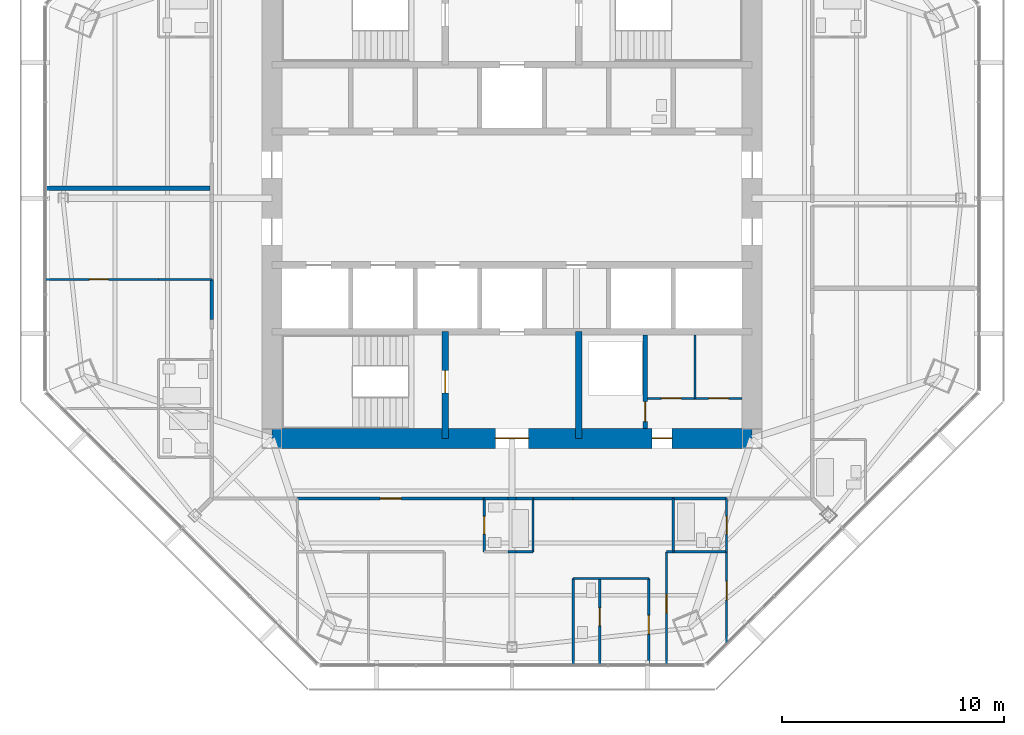
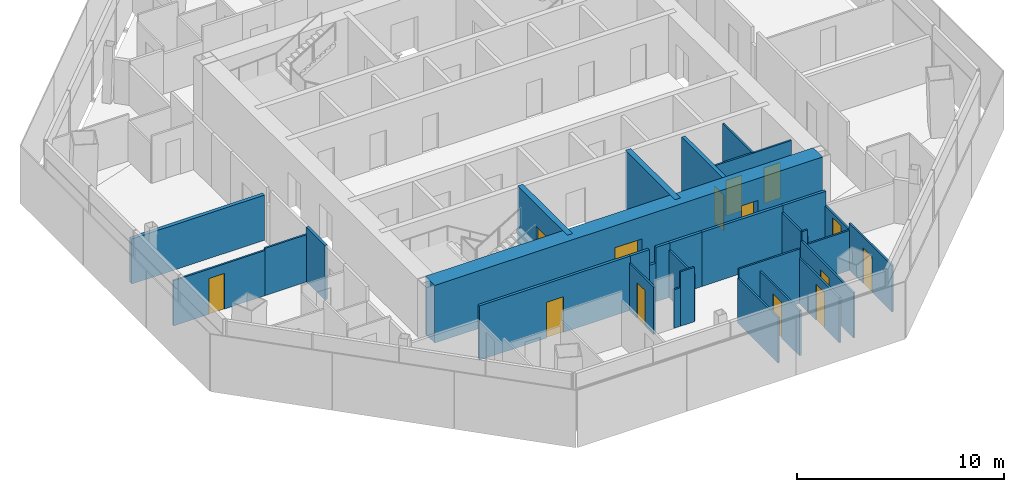
# One storey, part 9 of 15: 31 walls, 14 doors, 14 openings.
"""IFC4 building model written with IfcOpenShell, lengths in metres."""

from ifc_helpers import new_model, si_unit, direction, frame, frame_2d, origin, place, context, subcontext, project, spatial, rectangle, extrude, material, layer, layer_set, type_object, element, fill, save


model = new_model("IFC4")

# Units and contexts
model_context = context("Model", 3, precision=1e-05, world=origin(), true_north=direction((0.0, 1.0)))
body_context = subcontext(model_context, "Body", "Model", "MODEL_VIEW")
ifc_project = project(units=[si_unit("LENGTHUNIT", "METRE"), si_unit("AREAUNIT", "SQUARE_METRE"), si_unit("VOLUMEUNIT", "CUBIC_METRE"), si_unit("PLANEANGLEUNIT", "RADIAN"), si_unit("MASSUNIT", "GRAM", prefix="KILO")], contexts=[model_context])

# Site, building, storey
site_placement = place(None, origin())
site = spatial("IfcSite", under=ifc_project, at=site_placement, CompositionType="ELEMENT")
building_placement = place(site_placement, origin())
building = spatial("IfcBuilding", under=site, at=building_placement, Name="Mashrafa Tower", CompositionType="ELEMENT")
storey_placement = place(building_placement, frame((0.0, 0.0, 248.199951171875)))
storey = spatial("IfcBuildingStorey", under=building, at=storey_placement, Name="L59", CompositionType="ELEMENT", Elevation=248.199951171875)

# Wall
ifc_material_1 = material(Name="Gypsum board on steel studs", Category="steel")
ifc_layer_1 = layer(ifc_material_1, 0.199951171875)
ifc_layer_set_1 = layer_set([ifc_layer_1], Name="Acoustic partition 200 1 hr")
wall_type_1 = type_object("IfcWallType", Name="Acoustic partition 200 1 hr", PredefinedType="PARTITIONING", material=ifc_layer_set_1)
wall_1_placement = place(storey_placement, frame((-20.9755859375, 0.449951171875, 0.0), z_axis=(0.0, 0.0, 1.0), x_axis=(1.0, 0.0, 0.0)))
element("IfcWall", 1, at=wall_1_placement, inside=storey, type_object=wall_type_1, Name="Acoustic wall L59-081", PredefinedType="PARTITIONING", context=body_context, shape_type="SweptSolid", body=[
    extrude(rectangle(XDim=7.400634765625, YDim=0.199951171875, at=frame_2d((3.7001953125, 0.0))), origin(), (0.0, 0.0, 1.0), 2.661865234375),
])

# Wall, opening, door
ifc_material_2 = material(Name="Concrete masonry unit", Category="masonry")
ifc_layer_2 = layer(ifc_material_2, 0.199951171875)
ifc_layer_set_2 = layer_set([ifc_layer_2], Name="Blockwork wall 200 2 hr")
wall_type_2 = type_object("IfcWallType", Name="Blockwork wall 200 2 hr", PredefinedType="PARTITIONING", material=ifc_layer_set_2)
wall_2_placement = place(storey_placement, frame((6.0, -10.35009765625, 0.0), z_axis=(0.0, 0.0, 1.0), x_axis=(0.0, 1.0, 0.0)))
wall_2 = element("IfcWall", 2, at=wall_2_placement, inside=storey, type_object=wall_type_2, Name="Riser enclosure wall L59", PredefinedType="PARTITIONING", context=body_context, shape_type="SweptSolid", body=[
    extrude(rectangle(XDim=4.2001953125, YDim=0.199951171875, at=frame_2d((2.10009765625, 0.0))), origin(), (0.0, 0.0, 1.0), 3.199951171875),
])
opening_1_placement = place(wall_2_placement, frame((0.300048828125, 0.0, 0.0)))
opening_1 = element("IfcOpeningElement", 3, at=opening_1_placement, cuts=wall_2, Name="Opening 59.046", PredefinedType="OPENING", context=body_context, shape_type="SweptSolid", body=[
    extrude(rectangle(XDim=0.89990234375, YDim=2.10009765625, at=frame_2d((0.449951171875, 1.050048828125))), frame((0.0, 0.10986328125, 0.0), z_axis=(0.0, -1.0, 0.0), x_axis=(1.0, 0.0, 0.0)), (0.0, 0.0, 1.0), 0.219970703125),
])
ifc_material_3 = material(Name="Steel door", Category="steel")
door_type_1 = type_object("IfcDoorType", Name="Service door 900 x 2100 90 min", OperationType="USERDEFINED", PredefinedType="DOOR", material=ifc_material_3)
door_1_placement = place(opening_1_placement, origin())
door_1 = element("IfcDoor", 4, at=door_1_placement, inside=storey, type_object=door_type_1, Name="Riser door L59", OperationType="SINGLE_SWING_LEFT", OverallHeight=2.10009765625, OverallWidth=0.89990234375, PredefinedType="DOOR", context=body_context, shape_type="SweptSolid", body=[
    extrude(rectangle(XDim=0.89990234375, YDim=2.10009765625, at=frame_2d((0.449951171875, 1.050048828125))), frame((0.0, 0.02490234375, 0.0), z_axis=(0.0, -1.0, 0.0), x_axis=(1.0, 0.0, 0.0)), (0.0, 0.0, 1.0), 0.050048828125),
])
fill(opening_1, door_1)

ifc_material_4 = material(Name="Concrete C50/60", Category="concrete")
ifc_layer_3 = layer(ifc_material_4, 0.300048828125)
ifc_layer_set_3 = layer_set([ifc_layer_3], Name="Core wall 300 C50/60")
wall_type_3 = type_object("IfcWallType", Name="Core wall 300 C50/60", PredefinedType="SOLIDWALL", material=ifc_layer_set_3)
wall_3_placement = place(storey_placement, frame((-3.0, -6.0, 0.0), z_axis=(0.0, 0.0, 1.0), x_axis=(0.0, -1.0, 0.0)))
wall_3 = element("IfcWall", 5, at=wall_3_placement, inside=storey, type_object=wall_type_3, Name="Core wall CX-SW L59", PredefinedType="SOLIDWALL", context=body_context, shape_type="SweptSolid", body=[
    extrude(rectangle(XDim=4.800048828125, YDim=0.300048828125, at=frame_2d((2.39990234375, 0.0))), origin(), (0.0, 0.0, 1.0), 3.400146484375),
])
opening_2_placement = place(wall_3_placement, frame((1.75, 0.0, 0.0)))
opening_2 = element("IfcOpeningElement", 6, at=opening_2_placement, cuts=wall_3, Name="Opening 59.044", PredefinedType="OPENING", context=body_context, shape_type="SweptSolid", body=[
    extrude(rectangle(XDim=1.0, YDim=2.10009765625, at=frame_2d((0.5, 1.050048828125))), frame((0.0, 0.159912109375, 0.0), z_axis=(0.0, -1.0, 0.0), x_axis=(1.0, 0.0, 0.0)), (0.0, 0.0, 1.0), 0.320068359375),
])
ifc_material_5 = material(Name="Steel door", Category="steel")
door_type_2 = type_object("IfcDoorType", Name="Stair door 1000 x 2100 90 min", OperationType="USERDEFINED", PredefinedType="DOOR", material=ifc_material_5)
door_2_placement = place(opening_2_placement, frame((1.0, 0.0, 0.0), z_axis=(0.0, 0.0, 1.0), x_axis=(-1.0, 0.0, 0.0)))
door_2 = element("IfcDoor", 7, at=door_2_placement, inside=storey, type_object=door_type_2, Name="Stair S3 door L59", OperationType="SINGLE_SWING_RIGHT", OverallHeight=2.10009765625, OverallWidth=1.0, PredefinedType="DOOR", context=body_context, shape_type="SweptSolid", body=[
    extrude(rectangle(XDim=1.0, YDim=2.10009765625, at=frame_2d((0.5, 1.050048828125))), frame((0.0, 0.02490234375, 0.0), z_axis=(0.0, -1.0, 0.0), x_axis=(1.0, 0.0, 0.0)), (0.0, 0.0, 1.0), 0.050048828125),
])
fill(opening_2, door_2)

# Wall
wall_4_placement = place(storey_placement, frame((3.0, -6.0, 0.0), z_axis=(0.0, 0.0, 1.0), x_axis=(0.0, -1.0, 0.0)))
element("IfcWall", 8, at=wall_4_placement, inside=storey, type_object=wall_type_3, Name="Core wall CX-SE L59", PredefinedType="SOLIDWALL", context=body_context, shape_type="SweptSolid", body=[
    extrude(rectangle(XDim=4.800048828125, YDim=0.300048828125, at=frame_2d((2.39990234375, 0.0))), origin(), (0.0, 0.0, 1.0), 3.400146484375),
])

# Wall, openings, doors
ifc_material_6 = material(Name="Concrete C50/60", Category="concrete")
ifc_layer_4 = layer(ifc_material_6, 0.89990234375)
ifc_layer_set_4 = layer_set([ifc_layer_4], Name="Core wall 900 C50/60")
wall_type_4 = type_object("IfcWallType", Name="Core wall 900 C50/60", PredefinedType="SOLIDWALL", material=ifc_layer_set_4)
wall_5_placement = place(storey_placement, frame((-10.800048828125, -10.800048828125, 0.0), z_axis=(0.0, 0.0, 1.0), x_axis=(1.0, 0.0, 0.0)))
wall_5 = element("IfcWall", 9, at=wall_5_placement, inside=storey, type_object=wall_type_4, Name="Core wall CW-S L59", PredefinedType="SOLIDWALL", context=body_context, shape_type="SweptSolid", body=[
    extrude(rectangle(XDim=21.60009765625, YDim=0.89990234375, at=frame_2d((10.800048828125, 0.0))), origin(), (0.0, 0.0, 1.0), 3.400146484375),
])
opening_3_placement = place(wall_5_placement, frame((10.050048828125, 0.0, 0.0)))
opening_3 = element("IfcOpeningElement", 10, at=opening_3_placement, cuts=wall_5, Name="Opening 59.041", PredefinedType="OPENING", context=body_context, shape_type="SweptSolid", body=[
    extrude(rectangle(XDim=1.5, YDim=2.10009765625, at=frame_2d((0.75, 1.050048828125))), frame((0.0, 0.4599609375, 0.0), z_axis=(0.0, -1.0, 0.0), x_axis=(1.0, 0.0, 0.0)), (0.0, 0.0, 1.0), 0.919921875),
])
opening_4_placement = place(wall_5_placement, frame((17.10009765625, 0.0, 0.0)))
opening_4 = element("IfcOpeningElement", 11, at=opening_4_placement, cuts=wall_5, Name="Opening 59.045", PredefinedType="OPENING", context=body_context, shape_type="SweptSolid", body=[
    extrude(rectangle(XDim=0.89990234375, YDim=2.10009765625, at=frame_2d((0.449951171875, 1.050048828125))), frame((0.0, 0.4599609375, 0.0), z_axis=(0.0, -1.0, 0.0), x_axis=(1.0, 0.0, 0.0)), (0.0, 0.0, 1.0), 0.919921875),
])
ifc_material_7 = material(Name="Steel door", Category="steel")
door_type_3 = type_object("IfcDoorType", Name="Lobby door pair 1500 x 2100 90 min", OperationType="DOUBLE_DOOR_SINGLE_SWING", PredefinedType="DOOR", material=ifc_material_7)
door_3_placement = place(opening_3_placement, origin())
door_3 = element("IfcDoor", 12, at=door_3_placement, inside=storey, type_object=door_type_3, Name="Fire-fighting lobby F2 door L59", OperationType="DOUBLE_DOOR_SINGLE_SWING", OverallHeight=2.10009765625, OverallWidth=1.5, PredefinedType="DOOR", context=body_context, shape_type="SweptSolid", body=[
    extrude(rectangle(XDim=1.5, YDim=2.10009765625, at=frame_2d((0.75, 1.050048828125))), frame((0.0, 0.02490234375, 0.0), z_axis=(0.0, -1.0, 0.0), x_axis=(1.0, 0.0, 0.0)), (0.0, 0.0, 1.0), 0.050048828125),
])
fill(opening_3, door_3)
door_4_placement = place(opening_4_placement, frame((0.89990234375, 0.0, 0.0), z_axis=(0.0, 0.0, 1.0), x_axis=(-1.0, 0.0, 0.0)))
door_4 = element("IfcDoor", 13, at=door_4_placement, inside=storey, type_object=door_type_1, Name="Services Lobby L59 door", OperationType="SINGLE_SWING_LEFT", OverallHeight=2.10009765625, OverallWidth=0.89990234375, PredefinedType="DOOR", context=body_context, shape_type="SweptSolid", body=[
    extrude(rectangle(XDim=0.89990234375, YDim=2.10009765625, at=frame_2d((0.449951171875, 1.050048828125))), frame((0.0, 0.02490234375, 0.0), z_axis=(0.0, -1.0, 0.0), x_axis=(1.0, 0.0, 0.0)), (0.0, 0.0, 1.0), 0.050048828125),
])
fill(opening_4, door_4)

# Walls
ifc_material_8 = material(Name="Gypsum board on steel studs", Category="steel")
ifc_layer_5 = layer(ifc_material_8, 0.14990234375)
ifc_layer_set_5 = layer_set([ifc_layer_5], Name="Corridor partition 150 1 hr")
wall_type_5 = type_object("IfcWallType", Name="Corridor partition 150 1 hr", PredefinedType="PARTITIONING", material=ifc_layer_set_5)
wall_6_placement = place(storey_placement, frame((-13.5, -3.64892578125, 0.0), z_axis=(0.0, 0.0, 1.0), x_axis=(0.0, -1.0, 0.0)))
element("IfcWall", 14, at=wall_6_placement, inside=storey, type_object=wall_type_5, Name="Corridor wall L59-033", PredefinedType="PARTITIONING", context=body_context, shape_type="SweptSolid", body=[
    extrude(rectangle(XDim=1.802001953125, YDim=0.14990234375, at=frame_2d((0.90087890625, 0.0))), origin(), (0.0, 0.0, 1.0), 3.199951171875),
])
wall_7_placement = place(storey_placement, frame((-1.2509765625, -13.5, 0.0), z_axis=(0.0, 0.0, 1.0), x_axis=(1.0, 0.0, 0.0)))
element("IfcWall", 15, at=wall_7_placement, inside=storey, type_object=wall_type_5, Name="Corridor wall L59-039", PredefinedType="PARTITIONING", context=body_context, shape_type="SweptSolid", body=[
    extrude(rectangle(XDim=1.068603515625, YDim=0.14990234375, at=frame_2d((0.5341796875, 0.0))), origin(), (0.0, 0.0, 1.0), 3.199951171875),
])
wall_8_placement = place(storey_placement, frame((0.182373046875, -13.5, 0.0), z_axis=(0.0, 0.0, 1.0), x_axis=(1.0, 0.0, 0.0)))
element("IfcWall", 16, at=wall_8_placement, inside=storey, type_object=wall_type_5, Name="Corridor wall L59-040", PredefinedType="PARTITIONING", context=body_context, shape_type="SweptSolid", body=[
    extrude(rectangle(XDim=0.7685546875, YDim=0.14990234375, at=frame_2d((0.38427734375, 0.0))), origin(), (0.0, 0.0, 1.0), 3.199951171875),
])
wall_9_placement = place(storey_placement, frame((-0.182373046875, -13.5, 0.0), z_axis=(0.0, 0.0, 1.0), x_axis=(1.0, 0.0, 0.0)))
element("IfcWall", 17, at=wall_9_placement, inside=storey, type_object=wall_type_5, Name="Corridor wall L59-041", PredefinedType="PARTITIONING", context=body_context, shape_type="SweptSolid", body=[
    extrude(rectangle(XDim=0.36474609375, YDim=0.14990234375, at=frame_2d((0.182373046875, 0.0))), origin(), (0.0, 0.0, 1.0), 2.26806640625),
])
wall_10_placement = place(storey_placement, frame((0.948974609375, -13.5, 0.0), z_axis=(0.0, 0.0, 1.0), x_axis=(1.0, 0.0, 0.0)))
element("IfcWall", 18, at=wall_10_placement, inside=storey, type_object=wall_type_5, Name="Corridor wall L59-042", PredefinedType="PARTITIONING", context=body_context, shape_type="SweptSolid", body=[
    extrude(rectangle(XDim=1.802001953125, YDim=0.14990234375, at=frame_2d((0.90087890625, 0.0))), origin(), (0.0, 0.0, 1.0), 3.199951171875),
])
wall_11_placement = place(storey_placement, frame((7.2490234375, -13.5, 0.0), z_axis=(0.0, 0.0, 1.0), x_axis=(1.0, 0.0, 0.0)))
element("IfcWall", 19, at=wall_11_placement, inside=storey, type_object=wall_type_5, Name="Corridor wall L59-043", PredefinedType="PARTITIONING", context=body_context, shape_type="SweptSolid", body=[
    extrude(rectangle(XDim=2.40185546875, YDim=0.14990234375, at=frame_2d((1.200927734375, 0.0))), origin(), (0.0, 0.0, 1.0), 3.199951171875),
])

# Wall, opening, door
wall_12_placement = place(storey_placement, frame((-9.65087890625, -13.5, 0.0), z_axis=(0.0, 0.0, 1.0), x_axis=(1.0, 0.0, 0.0)))
wall_12 = element("IfcWall", 20, at=wall_12_placement, inside=storey, type_object=wall_type_5, Name="Corridor wall L59-045", PredefinedType="PARTITIONING", context=body_context, shape_type="SweptSolid", body=[
    extrude(rectangle(XDim=8.40185546875, YDim=0.14990234375, at=frame_2d((4.200927734375, 0.0))), origin(), (0.0, 0.0, 1.0), 3.199951171875),
])
opening_5_placement = place(wall_12_placement, frame((3.72607421875, 0.0, 0.0)))
opening_5 = element("IfcOpeningElement", 21, at=opening_5_placement, cuts=wall_12, Name="Opening 59.034", PredefinedType="OPENING", context=body_context, shape_type="SweptSolid", body=[
    extrude(rectangle(XDim=0.949951171875, YDim=2.10009765625, at=frame_2d((0.47509765625, 1.050048828125))), frame((0.0, 0.0849609375, 0.0), z_axis=(0.0, -1.0, 0.0), x_axis=(1.0, 0.0, 0.0)), (0.0, 0.0, 1.0), 0.169921875),
])
ifc_material_9 = material(Name="Steel door", Category="steel")
door_type_4 = type_object("IfcDoorType", Name="Residence entrance door 950 x 2100 20 min", OperationType="USERDEFINED", PredefinedType="DOOR", material=ifc_material_9)
door_5_placement = place(opening_5_placement, frame((0.949951171875, 0.0, 0.0), z_axis=(0.0, 0.0, 1.0), x_axis=(-1.0, 0.0, 0.0)))
door_5 = element("IfcDoor", 22, at=door_5_placement, inside=storey, type_object=door_type_4, Name="Apartment 5907 Living Room door", OperationType="SINGLE_SWING_RIGHT", OverallHeight=2.10009765625, OverallWidth=0.949951171875, PredefinedType="DOOR", context=body_context, shape_type="SweptSolid", body=[
    extrude(rectangle(XDim=0.949951171875, YDim=2.10009765625, at=frame_2d((0.47509765625, 1.050048828125))), frame((0.0, 0.02490234375, 0.0), z_axis=(0.0, -1.0, 0.0), x_axis=(1.0, 0.0, 0.0)), (0.0, 0.0, 1.0), 0.050048828125),
])
fill(opening_5, door_5)

# Walls
wall_13_placement = place(storey_placement, frame((2.7490234375, -13.5, 0.0), z_axis=(0.0, 0.0, 1.0), x_axis=(1.0, 0.0, 0.0)))
element("IfcWall", 23, at=wall_13_placement, inside=storey, type_object=wall_type_5, Name="Corridor wall L59-046", PredefinedType="PARTITIONING", context=body_context, shape_type="SweptSolid", body=[
    extrude(rectangle(XDim=4.501953125, YDim=0.14990234375, at=frame_2d((2.2509765625, 0.0))), origin(), (0.0, 0.0, 1.0), 3.199951171875),
])
ifc_material_10 = material(Name="Gypsum board on steel studs", Category="steel")
ifc_layer_6 = layer(ifc_material_10, 0.10009765625)
ifc_layer_set_6 = layer_set([ifc_layer_6], Name="Partition 100")
wall_type_6 = type_object("IfcWallType", Name="Partition 100", PredefinedType="PARTITIONING", material=ifc_layer_set_6)
wall_14_placement = place(storey_placement, frame((-13.5, -3.64990234375, 0.0), z_axis=(0.0, 0.0, 1.0), x_axis=(-1.0, 0.0, 0.0)))
element("IfcWall", 24, at=wall_14_placement, inside=storey, type_object=wall_type_6, Name="Partition wall L59-089", PredefinedType="PARTITIONING", context=body_context, shape_type="SweptSolid", body=[
    extrude(rectangle(XDim=2.39990234375, YDim=0.10009765625, at=frame_2d((1.199951171875, 0.0))), origin(), (0.0, 0.0, 1.0), 2.78369140625),
])

# Wall, opening, door
wall_15_placement = place(storey_placement, frame((-20.9775390625, -3.64990234375, 0.0), z_axis=(0.0, 0.0, 1.0), x_axis=(1.0, 0.0, 0.0)))
wall_15 = element("IfcWall", 25, at=wall_15_placement, inside=storey, type_object=wall_type_6, Name="Partition wall L59-090", PredefinedType="PARTITIONING", context=body_context, shape_type="SweptSolid", body=[
    extrude(rectangle(XDim=5.07861328125, YDim=0.10009765625, at=frame_2d((2.539306640625, 0.0))), origin(), (0.0, 0.0, 1.0), 2.661865234375),
])
opening_6_placement = place(wall_15_placement, frame((1.976318359375, 0.0, 0.0)))
opening_6 = element("IfcOpeningElement", 26, at=opening_6_placement, cuts=wall_15, Name="Opening 59.024", PredefinedType="OPENING", context=body_context, shape_type="SweptSolid", body=[
    extrude(rectangle(XDim=0.85009765625, YDim=2.10009765625, at=frame_2d((0.425048828125, 1.050048828125))), frame((0.0, 0.06005859375, 0.0), z_axis=(0.0, -1.0, 0.0), x_axis=(1.0, 0.0, 0.0)), (0.0, 0.0, 1.0), 0.1201171875),
])
ifc_material_11 = material(Name="Timber door", Category="wood")
door_type_5 = type_object("IfcDoorType", Name="Bedroom door 850 x 2100", OperationType="USERDEFINED", PredefinedType="DOOR", material=ifc_material_11)
door_6_placement = place(opening_6_placement, origin())
door_6 = element("IfcDoor", 27, at=door_6_placement, inside=storey, type_object=door_type_5, Name="Apartment 5906 Bedroom 2 door", OperationType="SINGLE_SWING_LEFT", OverallHeight=2.10009765625, OverallWidth=0.85009765625, PredefinedType="DOOR", context=body_context, shape_type="SweptSolid", body=[
    extrude(rectangle(XDim=0.85009765625, YDim=2.10009765625, at=frame_2d((0.425048828125, 1.050048828125))), frame((0.0, 0.02490234375, 0.0), z_axis=(0.0, -1.0, 0.0), x_axis=(1.0, 0.0, 0.0)), (0.0, 0.0, 1.0), 0.050048828125),
])
fill(opening_6, door_6)

# Wall
wall_16_placement = place(storey_placement, frame((0.949951171875, -15.89990234375, 0.0), z_axis=(0.0, 0.0, 1.0), x_axis=(0.0, 1.0, 0.0)))
element("IfcWall", 28, at=wall_16_placement, inside=storey, type_object=wall_type_6, Name="Partition wall L59-097", PredefinedType="PARTITIONING", context=body_context, shape_type="SweptSolid", body=[
    extrude(rectangle(XDim=2.39990234375, YDim=0.10009765625, at=frame_2d((1.199951171875, 0.0))), origin(), (0.0, 0.0, 1.0), 2.78369140625),
])

# Wall, opening, door
wall_17_placement = place(storey_placement, frame((-1.25, -13.5, 0.0), z_axis=(0.0, 0.0, 1.0), x_axis=(0.0, -1.0, 0.0)))
wall_17 = element("IfcWall", 29, at=wall_17_placement, inside=storey, type_object=wall_type_6, Name="Partition wall L59-098", PredefinedType="PARTITIONING", context=body_context, shape_type="SweptSolid", body=[
    extrude(rectangle(XDim=2.39990234375, YDim=0.10009765625, at=frame_2d((1.199951171875, 0.0))), origin(), (0.0, 0.0, 1.0), 2.78369140625),
])
opening_7_placement = place(wall_17_placement, frame((0.800048828125, 0.0, 0.0)))
opening_7 = element("IfcOpeningElement", 30, at=opening_7_placement, cuts=wall_17, Name="Opening 59.029", PredefinedType="OPENING", context=body_context, shape_type="SweptSolid", body=[
    extrude(rectangle(XDim=0.800048828125, YDim=2.10009765625, at=frame_2d((0.39990234375, 1.050048828125))), frame((0.0, 0.06005859375, 0.0), z_axis=(0.0, -1.0, 0.0), x_axis=(1.0, 0.0, 0.0)), (0.0, 0.0, 1.0), 0.1201171875),
])
ifc_material_12 = material(Name="Timber door", Category="wood")
door_type_6 = type_object("IfcDoorType", Name="Bathroom door 800 x 2100", OperationType="USERDEFINED", PredefinedType="DOOR", material=ifc_material_12)
door_7_placement = place(opening_7_placement, origin())
door_7 = element("IfcDoor", 31, at=door_7_placement, inside=storey, type_object=door_type_6, Name="Apartment 5907 Bathroom door", OperationType="SINGLE_SWING_RIGHT", OverallHeight=2.10009765625, OverallWidth=0.800048828125, PredefinedType="DOOR", context=body_context, shape_type="SweptSolid", body=[
    extrude(rectangle(XDim=0.800048828125, YDim=2.10009765625, at=frame_2d((0.39990234375, 1.050048828125))), frame((0.0, 0.02490234375, 0.0), z_axis=(0.0, -1.0, 0.0), x_axis=(1.0, 0.0, 0.0)), (0.0, 0.0, 1.0), 0.050048828125),
])
fill(opening_7, door_7)

# Walls
wall_18_placement = place(storey_placement, frame((0.182373046875, -15.89990234375, 0.0), z_axis=(0.0, 0.0, 1.0), x_axis=(1.0, 0.0, 0.0)))
element("IfcWall", 32, at=wall_18_placement, inside=storey, type_object=wall_type_6, Name="Partition wall L59-100", PredefinedType="PARTITIONING", context=body_context, shape_type="SweptSolid", body=[
    extrude(rectangle(XDim=0.767578125, YDim=0.10009765625, at=frame_2d((0.3837890625, 0.0))), origin(), (0.0, 0.0, 1.0), 3.199951171875),
])
wall_19_placement = place(storey_placement, frame((-0.182373046875, -15.89990234375, 0.0), z_axis=(0.0, 0.0, 1.0), x_axis=(1.0, 0.0, 0.0)))
element("IfcWall", 33, at=wall_19_placement, inside=storey, type_object=wall_type_6, Name="Partition wall L59-101", PredefinedType="PARTITIONING", context=body_context, shape_type="SweptSolid", body=[
    extrude(rectangle(XDim=0.36474609375, YDim=0.10009765625, at=frame_2d((0.182373046875, 0.0))), origin(), (0.0, 0.0, 1.0), 2.26806640625),
])

# Wall, opening, door
wall_20_placement = place(storey_placement, frame((3.949951171875, -17.10009765625, 0.0), z_axis=(0.0, 0.0, 1.0), x_axis=(0.0, -1.0, 0.0)))
wall_20 = element("IfcWall", 34, at=wall_20_placement, inside=storey, type_object=wall_type_6, Name="Partition wall L59-102", PredefinedType="PARTITIONING", context=body_context, shape_type="SweptSolid", body=[
    extrude(rectangle(XDim=3.87744140625, YDim=0.10009765625, at=frame_2d((1.938720703125, 0.0))), origin(), (0.0, 0.0, 1.0), 2.661865234375),
])
opening_8_placement = place(wall_20_placement, frame((1.32177734375, 0.0, 0.0)))
opening_8 = element("IfcOpeningElement", 35, at=opening_8_placement, cuts=wall_20, Name="Opening 59.031", PredefinedType="OPENING", context=body_context, shape_type="SweptSolid", body=[
    extrude(rectangle(XDim=0.800048828125, YDim=2.10009765625, at=frame_2d((0.39990234375, 1.050048828125))), frame((0.0, 0.06005859375, 0.0), z_axis=(0.0, -1.0, 0.0), x_axis=(1.0, 0.0, 0.0)), (0.0, 0.0, 1.0), 0.1201171875),
])
door_8_placement = place(opening_8_placement, frame((0.800048828125, 0.0, 0.0), z_axis=(0.0, 0.0, 1.0), x_axis=(-1.0, 0.0, 0.0)))
door_8 = element("IfcDoor", 36, at=door_8_placement, inside=storey, type_object=door_type_6, Name="Apartment 5907 Maid's WC door", OperationType="SINGLE_SWING_RIGHT", OverallHeight=2.10009765625, OverallWidth=0.800048828125, PredefinedType="DOOR", context=body_context, shape_type="SweptSolid", body=[
    extrude(rectangle(XDim=0.800048828125, YDim=2.10009765625, at=frame_2d((0.39990234375, 1.050048828125))), frame((0.0, 0.02490234375, 0.0), z_axis=(0.0, -1.0, 0.0), x_axis=(1.0, 0.0, 0.0)), (0.0, 0.0, 1.0), 0.050048828125),
])
fill(opening_8, door_8)

wall_21_placement = place(storey_placement, frame((6.14990234375, -20.9775390625, 0.0), z_axis=(0.0, 0.0, 1.0), x_axis=(0.0, 1.0, 0.0)))
wall_21 = element("IfcWall", 37, at=wall_21_placement, inside=storey, type_object=wall_type_6, Name="Partition wall L59-103", PredefinedType="PARTITIONING", context=body_context, shape_type="SweptSolid", body=[
    extrude(rectangle(XDim=3.87744140625, YDim=0.10009765625, at=frame_2d((1.938720703125, 0.0))), origin(), (0.0, 0.0, 1.0), 2.661865234375),
])
opening_9_placement = place(wall_21_placement, frame((1.375732421875, 0.0, 0.0)))
opening_9 = element("IfcOpeningElement", 38, at=opening_9_placement, cuts=wall_21, Name="Opening 59.030", PredefinedType="OPENING", context=body_context, shape_type="SweptSolid", body=[
    extrude(rectangle(XDim=0.85009765625, YDim=2.10009765625, at=frame_2d((0.425048828125, 1.050048828125))), frame((0.0, 0.06005859375, 0.0), z_axis=(0.0, -1.0, 0.0), x_axis=(1.0, 0.0, 0.0)), (0.0, 0.0, 1.0), 0.1201171875),
])
door_9_placement = place(opening_9_placement, origin())
door_9 = element("IfcDoor", 39, at=door_9_placement, inside=storey, type_object=door_type_5, Name="Apartment 5907 Maid's Room door", OperationType="SINGLE_SWING_LEFT", OverallHeight=2.10009765625, OverallWidth=0.85009765625, PredefinedType="DOOR", context=body_context, shape_type="SweptSolid", body=[
    extrude(rectangle(XDim=0.85009765625, YDim=2.10009765625, at=frame_2d((0.425048828125, 1.050048828125))), frame((0.0, 0.02490234375, 0.0), z_axis=(0.0, -1.0, 0.0), x_axis=(1.0, 0.0, 0.0)), (0.0, 0.0, 1.0), 0.050048828125),
])
fill(opening_9, door_9)

# Walls
wall_22_placement = place(storey_placement, frame((6.14990234375, -17.10009765625, 0.0), z_axis=(0.0, 0.0, 1.0), x_axis=(-1.0, 0.0, 0.0)))
element("IfcWall", 40, at=wall_22_placement, inside=storey, type_object=wall_type_6, Name="Partition wall L59-104", PredefinedType="PARTITIONING", context=body_context, shape_type="SweptSolid", body=[
    extrude(rectangle(XDim=3.39990234375, YDim=0.10009765625, at=frame_2d((1.699951171875, 0.0))), origin(), (0.0, 0.0, 1.0), 3.199951171875),
])
wall_23_placement = place(storey_placement, frame((2.75, -17.10009765625, 0.0), z_axis=(0.0, 0.0, 1.0), x_axis=(0.0, -1.0, 0.0)))
element("IfcWall", 41, at=wall_23_placement, inside=storey, type_object=wall_type_6, Name="Partition wall L59-106", PredefinedType="PARTITIONING", context=body_context, shape_type="SweptSolid", body=[
    extrude(rectangle(XDim=3.87548828125, YDim=0.10009765625, at=frame_2d((1.937744140625, 0.0))), origin(), (0.0, 0.0, 1.0), 2.661865234375),
])

# Wall, opening, door
wall_24_placement = place(storey_placement, frame((9.64990234375, -15.89990234375, 0.0), z_axis=(0.0, 0.0, 1.0), x_axis=(0.0, 1.0, 0.0)))
wall_24 = element("IfcWall", 42, at=wall_24_placement, inside=storey, type_object=wall_type_6, Name="Partition wall L59-107", PredefinedType="PARTITIONING", context=body_context, shape_type="SweptSolid", body=[
    extrude(rectangle(XDim=2.39990234375, YDim=0.10009765625, at=frame_2d((1.199951171875, 0.0))), origin(), (0.0, 0.0, 1.0), 2.349365234375),
])
opening_10_placement = place(wall_24_placement, frame((0.800048828125, 0.0, 0.0)))
opening_10 = element("IfcOpeningElement", 43, at=opening_10_placement, cuts=wall_24, Name="Opening 59.032", PredefinedType="OPENING", context=body_context, shape_type="SweptSolid", body=[
    extrude(rectangle(XDim=0.800048828125, YDim=2.10009765625, at=frame_2d((0.39990234375, 1.050048828125))), frame((0.0, 0.06005859375, 0.0), z_axis=(0.0, -1.0, 0.0), x_axis=(1.0, 0.0, 0.0)), (0.0, 0.0, 1.0), 0.1201171875),
])
door_10_placement = place(opening_10_placement, origin())
door_10 = element("IfcDoor", 44, at=door_10_placement, inside=storey, type_object=door_type_6, Name="Apartment 5907 En-suite Bathroom door", OperationType="SINGLE_SWING_RIGHT", OverallHeight=2.10009765625, OverallWidth=0.800048828125, PredefinedType="DOOR", context=body_context, shape_type="SweptSolid", body=[
    extrude(rectangle(XDim=0.800048828125, YDim=2.10009765625, at=frame_2d((0.39990234375, 1.050048828125))), frame((0.0, 0.02490234375, 0.0), z_axis=(0.0, -1.0, 0.0), x_axis=(1.0, 0.0, 0.0)), (0.0, 0.0, 1.0), 0.050048828125),
])
fill(opening_10, door_10)

# Walls
wall_25_placement = place(storey_placement, frame((7.25, -13.5, 0.0), z_axis=(0.0, 0.0, 1.0), x_axis=(0.0, -1.0, 0.0)))
element("IfcWall", 45, at=wall_25_placement, inside=storey, type_object=wall_type_6, Name="Partition wall L59-108", PredefinedType="PARTITIONING", context=body_context, shape_type="SweptSolid", body=[
    extrude(rectangle(XDim=2.39990234375, YDim=0.10009765625, at=frame_2d((1.199951171875, 0.0))), origin(), (0.0, 0.0, 1.0), 2.78369140625),
])
wall_26_placement = place(storey_placement, frame((7.25, -15.89990234375, 0.0), z_axis=(0.0, 0.0, 1.0), x_axis=(1.0, 0.0, 0.0)))
element("IfcWall", 46, at=wall_26_placement, inside=storey, type_object=wall_type_6, Name="Partition wall L59-109", PredefinedType="PARTITIONING", context=body_context, shape_type="SweptSolid", body=[
    extrude(rectangle(XDim=2.39990234375, YDim=0.10009765625, at=frame_2d((1.199951171875, 0.0))), origin(), (0.0, 0.0, 1.0), 2.349365234375),
])

# Wall, opening, door
wall_27_placement = place(storey_placement, frame((9.64990234375, -15.89892578125, 0.0), z_axis=(0.0, 0.0, 1.0), x_axis=(0.0, -1.0, 0.0)))
wall_27 = element("IfcWall", 47, at=wall_27_placement, inside=storey, type_object=wall_type_6, Name="Partition wall L59-110", PredefinedType="PARTITIONING", context=body_context, shape_type="SweptSolid", body=[
    extrude(rectangle(XDim=4.11865234375, YDim=0.10009765625, at=frame_2d((2.059326171875, 0.0))), origin(), (0.0, 0.0, 1.0), 2.740478515625),
])
opening_11_placement = place(wall_27_placement, frame((1.326904296875, 0.0, 0.0)))
opening_11 = element("IfcOpeningElement", 48, at=opening_11_placement, cuts=wall_27, Name="Opening 59.033", PredefinedType="OPENING", context=body_context, shape_type="SweptSolid", body=[
    extrude(rectangle(XDim=0.85009765625, YDim=2.10009765625, at=frame_2d((0.425048828125, 1.050048828125))), frame((0.0, 0.06005859375, 0.0), z_axis=(0.0, -1.0, 0.0), x_axis=(1.0, 0.0, 0.0)), (0.0, 0.0, 1.0), 0.1201171875),
])
door_11_placement = place(opening_11_placement, origin())
door_11 = element("IfcDoor", 49, at=door_11_placement, inside=storey, type_object=door_type_5, Name="Apartment 5907 Bedroom 3 door", OperationType="SINGLE_SWING_RIGHT", OverallHeight=2.10009765625, OverallWidth=0.85009765625, PredefinedType="DOOR", context=body_context, shape_type="SweptSolid", body=[
    extrude(rectangle(XDim=0.85009765625, YDim=2.10009765625, at=frame_2d((0.425048828125, 1.050048828125))), frame((0.0, 0.02490234375, 0.0), z_axis=(0.0, -1.0, 0.0), x_axis=(1.0, 0.0, 0.0)), (0.0, 0.0, 1.0), 0.050048828125),
])
fill(opening_11, door_11)

wall_28_placement = place(storey_placement, frame((6.949951171875, -20.9775390625, 0.0), z_axis=(0.0, 0.0, 1.0), x_axis=(0.0, 1.0, 0.0)))
wall_28 = element("IfcWall", 50, at=wall_28_placement, inside=storey, type_object=wall_type_6, Name="Partition wall L59-111", PredefinedType="PARTITIONING", context=body_context, shape_type="SweptSolid", body=[
    extrude(rectangle(XDim=5.07763671875, YDim=0.10009765625, at=frame_2d((2.538818359375, 0.0))), origin(), (0.0, 0.0, 1.0), 2.661865234375),
])
opening_12_placement = place(wall_28_placement, frame((2.325927734375, 0.0, 0.0)))
opening_12 = element("IfcOpeningElement", 51, at=opening_12_placement, cuts=wall_28, Name="Opening 59.035", PredefinedType="OPENING", context=body_context, shape_type="SweptSolid", body=[
    extrude(rectangle(XDim=0.85009765625, YDim=2.10009765625, at=frame_2d((0.425048828125, 1.050048828125))), frame((0.0, 0.06005859375, 0.0), z_axis=(0.0, -1.0, 0.0), x_axis=(1.0, 0.0, 0.0)), (0.0, 0.0, 1.0), 0.1201171875),
])
door_12_placement = place(opening_12_placement, frame((0.85009765625, 0.0, 0.0), z_axis=(0.0, 0.0, 1.0), x_axis=(-1.0, 0.0, 0.0)))
door_12 = element("IfcDoor", 52, at=door_12_placement, inside=storey, type_object=door_type_5, Name="Apartment 5907 Dining Room door", OperationType="SINGLE_SWING_RIGHT", OverallHeight=2.10009765625, OverallWidth=0.85009765625, PredefinedType="DOOR", context=body_context, shape_type="SweptSolid", body=[
    extrude(rectangle(XDim=0.85009765625, YDim=2.10009765625, at=frame_2d((0.425048828125, 1.050048828125))), frame((0.0, 0.02490234375, 0.0), z_axis=(0.0, -1.0, 0.0), x_axis=(1.0, 0.0, 0.0)), (0.0, 0.0, 1.0), 0.050048828125),
])
fill(opening_12, door_12)

# Wall
wall_29_placement = place(storey_placement, frame((6.949951171875, -15.89990234375, 0.0), z_axis=(0.0, 0.0, 1.0), x_axis=(1.0, 0.0, 0.0)))
element("IfcWall", 53, at=wall_29_placement, inside=storey, type_object=wall_type_6, Name="Partition wall L59-112", PredefinedType="PARTITIONING", context=body_context, shape_type="SweptSolid", body=[
    extrude(rectangle(XDim=0.300048828125, YDim=0.10009765625, at=frame_2d((0.14990234375, 0.0))), origin(), (0.0, 0.0, 1.0), 3.199951171875),
])

# Wall, openings, doors
ifc_material_13 = material(Name="Gypsum board on steel studs", Category="steel")
ifc_layer_7 = layer(ifc_material_13, 0.10009765625)
ifc_layer_set_7 = layer_set([ifc_layer_7], Name="Partition 100 1 hr")
wall_type_7 = type_object("IfcWallType", Name="Partition 100 1 hr", PredefinedType="PARTITIONING", material=ifc_layer_set_7)
wall_30_placement = place(storey_placement, frame((6.10009765625, -9.0, 0.0), z_axis=(0.0, 0.0, 1.0), x_axis=(1.0, 0.0, 0.0)))
wall_30 = element("IfcWall", 54, at=wall_30_placement, inside=storey, type_object=wall_type_7, Name="Services lobby partition A L59", PredefinedType="PARTITIONING", context=body_context, shape_type="SweptSolid", body=[
    extrude(rectangle(XDim=4.25, YDim=0.10009765625, at=frame_2d((2.125, 0.0))), origin(), (0.0, 0.0, 1.0), 3.199951171875),
])
opening_13_placement = place(wall_30_placement, frame((0.612548828125, 0.0, 0.0)))
opening_13 = element("IfcOpeningElement", 55, at=opening_13_placement, cuts=wall_30, Name="Opening 59.047", PredefinedType="OPENING", context=body_context, shape_type="SweptSolid", body=[
    extrude(rectangle(XDim=0.89990234375, YDim=2.10009765625, at=frame_2d((0.449951171875, 1.050048828125))), frame((0.0, 0.06005859375, 0.0), z_axis=(0.0, -1.0, 0.0), x_axis=(1.0, 0.0, 0.0)), (0.0, 0.0, 1.0), 0.1201171875),
])
opening_14_placement = place(wall_30_placement, frame((2.737548828125, 0.0, 0.0)))
opening_14 = element("IfcOpeningElement", 56, at=opening_14_placement, cuts=wall_30, Name="Opening 59.048", PredefinedType="OPENING", context=body_context, shape_type="SweptSolid", body=[
    extrude(rectangle(XDim=0.89990234375, YDim=2.10009765625, at=frame_2d((0.449951171875, 1.050048828125))), frame((0.0, 0.06005859375, 0.0), z_axis=(0.0, -1.0, 0.0), x_axis=(1.0, 0.0, 0.0)), (0.0, 0.0, 1.0), 0.1201171875),
])
ifc_material_14 = material(Name="Timber door", Category="wood")
door_type_7 = type_object("IfcDoorType", Name="Store door 900 x 2100", OperationType="USERDEFINED", PredefinedType="DOOR", material=ifc_material_14)
door_13_placement = place(opening_13_placement, origin())
door_13 = element("IfcDoor", 57, at=door_13_placement, inside=storey, type_object=door_type_7, Name="Cleaner's Store L59 door", OperationType="SINGLE_SWING_RIGHT", OverallHeight=2.10009765625, OverallWidth=0.89990234375, PredefinedType="DOOR", context=body_context, shape_type="SweptSolid", body=[
    extrude(rectangle(XDim=0.89990234375, YDim=2.10009765625, at=frame_2d((0.449951171875, 1.050048828125))), frame((0.0, 0.02490234375, 0.0), z_axis=(0.0, -1.0, 0.0), x_axis=(1.0, 0.0, 0.0)), (0.0, 0.0, 1.0), 0.050048828125),
])
fill(opening_13, door_13)
door_14_placement = place(opening_14_placement, origin())
door_14 = element("IfcDoor", 58, at=door_14_placement, inside=storey, type_object=door_type_7, Name="Building Services Store L59 door", OperationType="SINGLE_SWING_LEFT", OverallHeight=2.10009765625, OverallWidth=0.89990234375, PredefinedType="DOOR", context=body_context, shape_type="SweptSolid", body=[
    extrude(rectangle(XDim=0.89990234375, YDim=2.10009765625, at=frame_2d((0.449951171875, 1.050048828125))), frame((0.0, 0.02490234375, 0.0), z_axis=(0.0, -1.0, 0.0), x_axis=(1.0, 0.0, 0.0)), (0.0, 0.0, 1.0), 0.050048828125),
])
fill(opening_14, door_14)

# Wall
wall_31_placement = place(storey_placement, frame((8.22509765625, -9.0, 0.0), z_axis=(0.0, 0.0, 1.0), x_axis=(0.0, 1.0, 0.0)))
element("IfcWall", 59, at=wall_31_placement, inside=storey, type_object=wall_type_7, Name="Services lobby partition B L59", PredefinedType="PARTITIONING", context=body_context, shape_type="SweptSolid", body=[
    extrude(rectangle(XDim=2.85009765625, YDim=0.10009765625, at=frame_2d((1.425048828125, 0.0))), origin(), (0.0, 0.0, 1.0), 3.199951171875),
])

save(model, "model.ifc")
